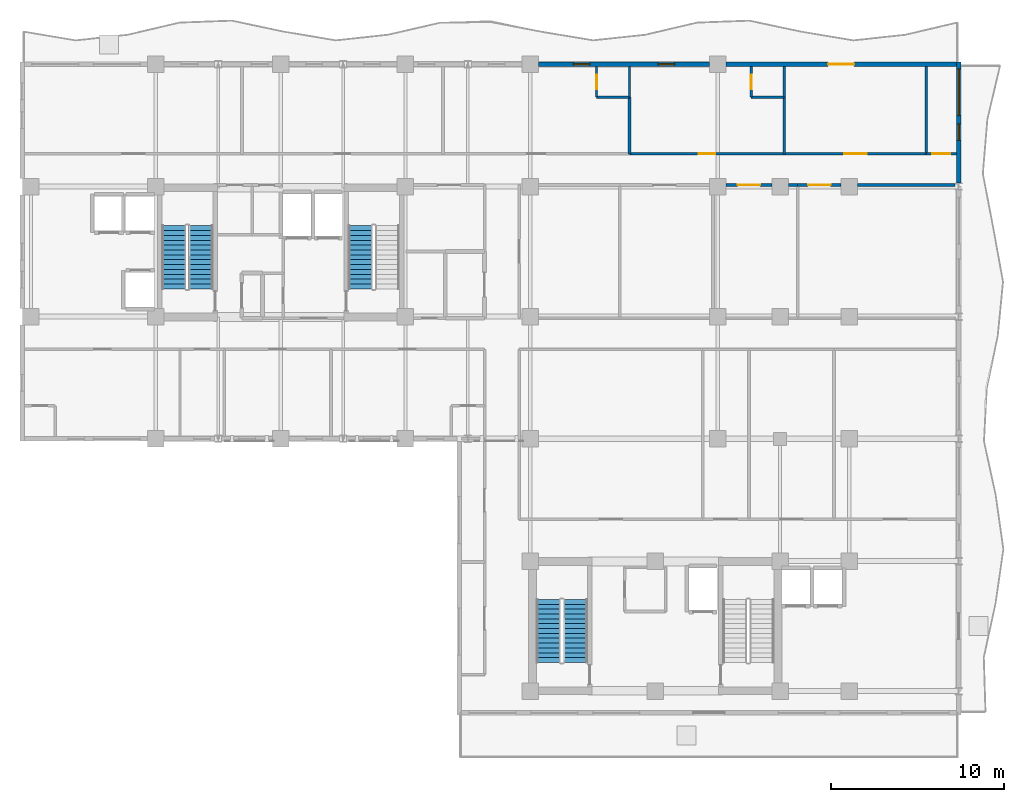
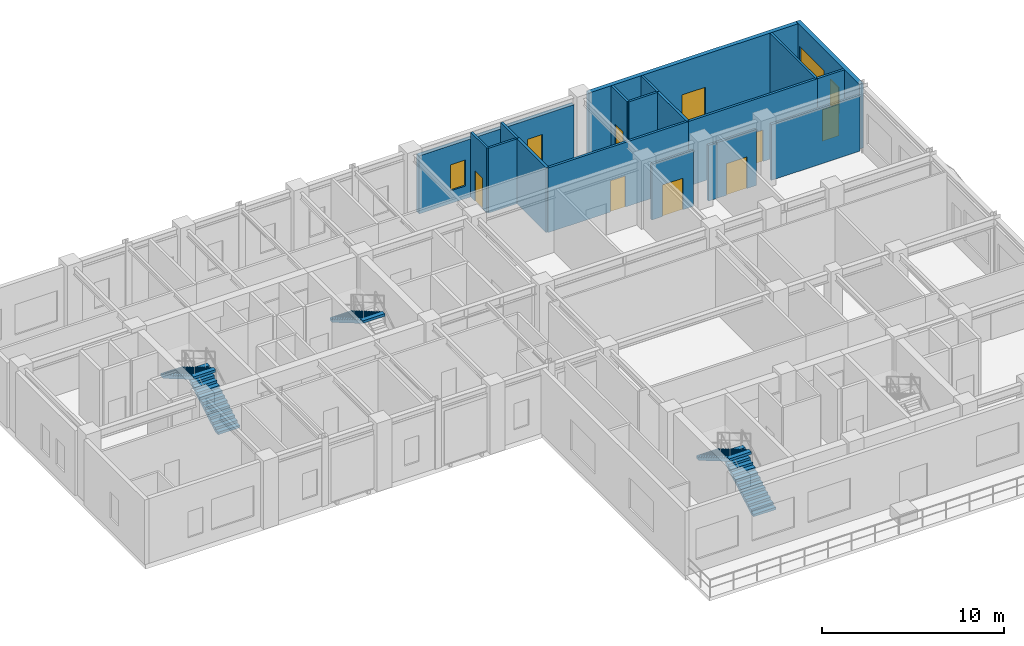
# One storey, part 10 of 14: 19 walls, 8 doors, 5 stair flights, 4 windows, 12 openings, 3 elements without a shape of their own.
"""IFC4 building model written with IfcOpenShell, lengths in metres."""

from ifc_helpers import new_model, si_unit, direction, frame, frame_2d, origin, place, context, subcontext, project, spatial, polyline, rectangle, outline, extrude, material, layer, layer_set, type_object, element, fill, aggregate, save


model = new_model("IFC4")

# Units and contexts
model_context = context("Model", 3, precision=1e-05, world=origin(), true_north=direction((0.0, 1.0)))
body_context = subcontext(model_context, "Body", "Model", "MODEL_VIEW")
ifc_project = project(units=[si_unit("LENGTHUNIT", "METRE"), si_unit("AREAUNIT", "SQUARE_METRE"), si_unit("VOLUMEUNIT", "CUBIC_METRE"), si_unit("PLANEANGLEUNIT", "RADIAN"), si_unit("MASSUNIT", "GRAM", prefix="KILO")], contexts=[model_context])

# Site, building, storey
site_placement = place(None, origin())
site = spatial("IfcSite", under=ifc_project, at=site_placement, CompositionType="ELEMENT")
building_placement = place(site_placement, origin())
building = spatial("IfcBuilding", under=site, at=building_placement, Name="Kaliganga Portal Commons", CompositionType="ELEMENT")
storey_placement = place(building_placement, frame((0.0, 0.0, 197.199951171875)))
storey = spatial("IfcBuildingStorey", under=building, at=storey_placement, Name="L50", CompositionType="ELEMENT", Elevation=197.199951171875)

# Wall, openings, windows
ifc_material_1 = material(Name="Insulated Aluminium-Clad Spandrel Assembly", Category="aluminium")
ifc_layer_1 = layer(ifc_material_1, 0.260009765625)
ifc_layer_set_1 = layer_set([ifc_layer_1], Name="Insulated Aluminium-Clad Spandrel Assembly")
wall_type_1 = type_object("IfcWallType", Name="WL-EXT-SPAND-260", PredefinedType="STANDARD", material=ifc_layer_set_1)
wall_1_placement = place(storey_placement, frame((60.699951171875, 43.330078125, 0.0), z_axis=(0.0, 0.0, 1.0), x_axis=(0.0, -1.0, 0.0)))
wall_1 = element("IfcWall", 1, at=wall_1_placement, inside=storey, type_object=wall_type_1, Name="Exterior Envelope Wall L50 P1-E01-S6", PredefinedType="STANDARD", context=body_context, shape_type="SweptSolid", body=[
    extrude(rectangle(XDim=6.97900390625, YDim=0.260009765625, at=frame_2d((3.489501953125, 0.0))), origin(), (0.0, 0.0, 1.0), 4.35009765625),
])
opening_1_placement = place(wall_1_placement, frame((0.394775390625, 0.0, 0.85009765625)))
opening_1 = element("IfcOpeningElement", 2, at=opening_1_placement, cuts=wall_1, Name="Opening W-07", PredefinedType="OPENING", context=body_context, shape_type="SweptSolid", body=[
    extrude(rectangle(XDim=2.699951171875, YDim=2.050048828125, at=frame_2d((1.35009765625, 1.02490234375))), frame((0.0, 0.14013671875, 0.0), z_axis=(0.0, -1.0, 0.0), x_axis=(1.0, 0.0, 0.0)), (0.0, 0.0, 1.0), 0.280029296875),
])
opening_2_placement = place(wall_1_placement, frame((3.57275390625, 0.0, 0.85009765625)))
opening_2 = element("IfcOpeningElement", 3, at=opening_2_placement, cuts=wall_1, Name="Opening W-04", PredefinedType="OPENING", context=body_context, shape_type="SweptSolid", body=[
    extrude(rectangle(XDim=0.949951171875, YDim=1.75, at=frame_2d((0.47509765625, 0.875))), frame((0.0, 0.14013671875, 0.0), z_axis=(0.0, -1.0, 0.0), x_axis=(1.0, 0.0, 0.0)), (0.0, 0.0, 1.0), 0.280029296875),
])
ifc_material_2 = material(Name="Thermally Broken Aluminium and Low-E Double Glazing", Category="aluminium")
window_type_1 = type_object("IfcWindowType", Name="WIN-LOUNGE-2700", PartitioningType="TRIPLE_PANEL_VERTICAL", PredefinedType="WINDOW", material=ifc_material_2)
window_1_placement = place(opening_1_placement, origin())
window_1 = element("IfcWindow", 4, at=window_1_placement, inside=storey, type_object=window_type_1, Name="Facade Window L50-P1E01S6-00", OverallHeight=2.050048828125, OverallWidth=2.699951171875, PartitioningType="SINGLE_PANEL", PredefinedType="WINDOW", context=body_context, shape_type="SweptSolid", body=[
    extrude(rectangle(XDim=2.699951171875, YDim=2.050048828125, at=frame_2d((1.35009765625, 1.02490234375))), frame((0.0, 0.030029296875, 0.0), z_axis=(0.0, -1.0, 0.0), x_axis=(1.0, 0.0, 0.0)), (0.0, 0.0, 1.0), 0.06005859375),
])
fill(opening_1, window_1)
window_type_2 = type_object("IfcWindowType", Name="WIN-NARROW-950", PartitioningType="SINGLE_PANEL", PredefinedType="WINDOW", material=ifc_material_2)
window_2_placement = place(opening_2_placement, origin())
window_2 = element("IfcWindow", 5, at=window_2_placement, inside=storey, type_object=window_type_2, Name="Facade Window L50-P1E01S6-N6", OverallHeight=1.75, OverallWidth=0.949951171875, PartitioningType="SINGLE_PANEL", PredefinedType="WINDOW", context=body_context, shape_type="SweptSolid", body=[
    extrude(rectangle(XDim=0.949951171875, YDim=1.75, at=frame_2d((0.47509765625, 0.875))), frame((0.0, 0.030029296875, 0.0), z_axis=(0.0, -1.0, 0.0), x_axis=(1.0, 0.0, 0.0)), (0.0, 0.0, 1.0), 0.06005859375),
])
fill(opening_2, window_2)

# Wall, opening, door
wall_2_placement = place(storey_placement, frame((47.27587890625, 43.199951171875, 0.0), z_axis=(0.0, 0.0, 1.0), x_axis=(1.0, 0.0, 0.0)))
wall_2 = element("IfcWall", 6, at=wall_2_placement, inside=storey, type_object=wall_type_1, Name="Exterior Envelope Wall L50 P1-E02-S1", PredefinedType="STANDARD", context=body_context, shape_type="SweptSolid", body=[
    extrude(rectangle(XDim=13.2890625, YDim=0.260009765625, at=frame_2d((6.64453125, 0.0))), origin(), (0.0, 0.0, 1.0), 4.35009765625),
])
opening_3_placement = place(wall_2_placement, frame((5.89404296875, 0.0, 0.0)))
opening_3 = element("IfcOpeningElement", 7, at=opening_3_placement, cuts=wall_2, Name="Opening BD-01", PredefinedType="OPENING", context=body_context, shape_type="SweptSolid", body=[
    extrude(rectangle(XDim=1.5, YDim=2.14990234375, at=frame_2d((0.75, 1.074951171875))), frame((0.0, 0.14013671875, 0.0), z_axis=(0.0, -1.0, 0.0), x_axis=(1.0, 0.0, 0.0)), (0.0, 0.0, 1.0), 0.280029296875),
])
ifc_material_3 = material(Name="Anodized Aluminium and Laminated Safety Glass", Category="aluminium")
door_type_1 = type_object("IfcDoorType", Name="DR-BALC-1500", OperationType="SLIDING_TO_LEFT", PredefinedType="DOOR", material=ifc_material_3)
door_1_placement = place(opening_3_placement, origin())
door_1 = element("IfcDoor", 8, at=door_1_placement, inside=storey, type_object=door_type_1, Name="Balcony Sliding Door L50 balc_north", OperationType="SLIDING_TO_LEFT", OverallHeight=2.14990234375, OverallWidth=1.5, PredefinedType="DOOR", context=body_context, shape_type="SweptSolid", body=[
    extrude(rectangle(XDim=1.5, YDim=2.14990234375, at=frame_2d((0.75, 1.074951171875))), frame((0.0, 0.02490234375, 0.0), z_axis=(0.0, -1.0, 0.0), x_axis=(1.0, 0.0, 0.0)), (0.0, 0.0, 1.0), 0.050048828125),
])
fill(opening_3, door_1)

# Wall, openings, windows
wall_3_placement = place(storey_placement, frame((36.47607421875, 43.199951171875, 0.0), z_axis=(0.0, 0.0, 1.0), x_axis=(1.0, 0.0, 0.0)))
wall_3 = element("IfcWall", 9, at=wall_3_placement, inside=storey, type_object=wall_type_1, Name="Exterior Envelope Wall L50 P1-E02-S2", PredefinedType="STANDARD", context=body_context, shape_type="SweptSolid", body=[
    extrude(rectangle(XDim=9.847900390625, YDim=0.260009765625, at=frame_2d((4.923828125, 0.0))), origin(), (0.0, 0.0, 1.0), 3.900146484375),
])
opening_4_placement = place(wall_3_placement, frame((2.006591796875, 0.0, 0.85009765625)))
opening_4 = element("IfcOpeningElement", 10, at=opening_4_placement, cuts=wall_3, Name="Opening W-04", PredefinedType="OPENING", context=body_context, shape_type="SweptSolid", body=[
    extrude(rectangle(XDim=0.949951171875, YDim=1.75, at=frame_2d((0.47509765625, 0.875))), frame((0.0, 0.14013671875, 0.0), z_axis=(0.0, -1.0, 0.0), x_axis=(1.0, 0.0, 0.0)), (0.0, 0.0, 1.0), 0.280029296875),
])
opening_5_placement = place(wall_3_placement, frame((6.891357421875, 0.0, 0.85009765625)))
opening_5 = element("IfcOpeningElement", 11, at=opening_5_placement, cuts=wall_3, Name="Opening W-04", PredefinedType="OPENING", context=body_context, shape_type="SweptSolid", body=[
    extrude(rectangle(XDim=0.949951171875, YDim=1.75, at=frame_2d((0.47509765625, 0.875))), frame((0.0, 0.14013671875, 0.0), z_axis=(0.0, -1.0, 0.0), x_axis=(1.0, 0.0, 0.0)), (0.0, 0.0, 1.0), 0.280029296875),
])
window_3_placement = place(opening_4_placement, origin())
window_3 = element("IfcWindow", 12, at=window_3_placement, inside=storey, type_object=window_type_2, Name="Facade Window L50-P1E02S2-N1", OverallHeight=1.75, OverallWidth=0.949951171875, PartitioningType="SINGLE_PANEL", PredefinedType="WINDOW", context=body_context, shape_type="SweptSolid", body=[
    extrude(rectangle(XDim=0.949951171875, YDim=1.75, at=frame_2d((0.47509765625, 0.875))), frame((0.0, 0.030029296875, 0.0), z_axis=(0.0, -1.0, 0.0), x_axis=(1.0, 0.0, 0.0)), (0.0, 0.0, 1.0), 0.06005859375),
])
fill(opening_4, window_3)
window_4_placement = place(opening_5_placement, origin())
window_4 = element("IfcWindow", 13, at=window_4_placement, inside=storey, type_object=window_type_2, Name="Facade Window L50-P1E02S2-N2", OverallHeight=1.75, OverallWidth=0.949951171875, PartitioningType="SINGLE_PANEL", PredefinedType="WINDOW", context=body_context, shape_type="SweptSolid", body=[
    extrude(rectangle(XDim=0.949951171875, YDim=1.75, at=frame_2d((0.47509765625, 0.875))), frame((0.0, 0.030029296875, 0.0), z_axis=(0.0, -1.0, 0.0), x_axis=(1.0, 0.0, 0.0)), (0.0, 0.0, 1.0), 0.06005859375),
])
fill(opening_5, window_4)

# Wall, opening, door
ifc_material_4 = material(Name="Fire-Rated Gypsum Board on Steel Stud", Category="steel")
ifc_layer_2 = layer(ifc_material_4, 0.14990234375)
ifc_layer_set_2 = layer_set([ifc_layer_2], Name="Fire-Rated Gypsum Board on Steel Stud")
wall_type_2 = type_object("IfcWallType", Name="WL-PART-CORR-150", PredefinedType="PARTITIONING", material=ifc_layer_set_2)
wall_4_placement = place(storey_placement, frame((51.419921875, 36.239990234375, 0.0), z_axis=(0.0, 0.0, 1.0), x_axis=(1.0, 0.0, 0.0)))
wall_4 = element("IfcWall", 14, at=wall_4_placement, inside=storey, type_object=wall_type_2, Name="Interior Partition L50-018", PredefinedType="PARTITIONING", context=body_context, shape_type="SweptSolid", body=[
    extrude(rectangle(XDim=2.505126953125, YDim=0.14990234375, at=frame_2d((1.25244140625, 0.0))), origin(), (0.0, 0.0, 1.0), 3.75),
])
opening_6_placement = place(wall_4_placement, frame((0.6025390625, 0.0, 0.0)))
opening_6 = element("IfcOpeningElement", 15, at=opening_6_placement, cuts=wall_4, Name="Opening RD-03", PredefinedType="OPENING", context=body_context, shape_type="SweptSolid", body=[
    extrude(rectangle(XDim=1.300048828125, YDim=2.1201171875, at=frame_2d((0.64990234375, 1.06005859375))), frame((0.0, 0.0849609375, 0.0), z_axis=(0.0, -1.0, 0.0), x_axis=(1.0, 0.0, 0.0)), (0.0, 0.0, 1.0), 0.169921875),
])
ifc_material_5 = material(Name="Glazed Timber Seminar Vision Door", Category="wood")
door_type_2 = type_object("IfcDoorType", Name="DR-STUDY-1300", OperationType="DOUBLE_DOOR_SINGLE_SWING", PredefinedType="DOOR", material=ifc_material_5)
door_2_placement = place(opening_6_placement, origin())
door_2 = element("IfcDoor", 16, at=door_2_placement, inside=storey, type_object=door_type_2, Name="Interior Door L50-BK04", OperationType="DOUBLE_DOOR_SINGLE_SWING", OverallHeight=2.1201171875, OverallWidth=1.300048828125, PredefinedType="DOOR", context=body_context, shape_type="SweptSolid", body=[
    extrude(rectangle(XDim=1.300048828125, YDim=2.1201171875, at=frame_2d((0.64990234375, 1.06005859375))), frame((0.0, 0.02490234375, 0.0), z_axis=(0.0, -1.0, 0.0), x_axis=(1.0, 0.0, 0.0)), (0.0, 0.0, 1.0), 0.050048828125),
])
fill(opening_6, door_2)

# Wall
wall_5_placement = place(storey_placement, frame((54.875, 36.239990234375, 0.0), z_axis=(0.0, 0.0, 1.0), x_axis=(1.0, 0.0, 0.0)))
element("IfcWall", 17, at=wall_5_placement, inside=storey, type_object=wall_type_2, Name="Interior Partition L50-019", PredefinedType="PARTITIONING", context=body_context, shape_type="SweptSolid", body=[
    extrude(rectangle(XDim=5.62548828125, YDim=0.14990234375, at=frame_2d((2.812744140625, 0.0))), origin(), (0.0, 0.0, 1.0), 3.75),
])

# Wall, opening, door
wall_6_placement = place(storey_placement, frame((41.719970703125, 38.0400390625, 0.0), z_axis=(0.0, 0.0, 1.0), x_axis=(1.0, 0.0, 0.0)))
wall_6 = element("IfcWall", 18, at=wall_6_placement, inside=storey, type_object=wall_type_2, Name="Interior Partition L50-021", PredefinedType="PARTITIONING", context=body_context, shape_type="SweptSolid", body=[
    extrude(rectangle(XDim=8.919921875, YDim=0.14990234375, at=frame_2d((4.4599609375, 0.0))), origin(), (0.0, 0.0, 1.0), 4.35009765625),
])
opening_7_placement = place(wall_6_placement, frame((3.985107421875, 0.0, 0.0)))
opening_7 = element("IfcOpeningElement", 19, at=opening_7_placement, cuts=wall_6, Name="Opening UD-01", PredefinedType="OPENING", context=body_context, shape_type="SweptSolid", body=[
    extrude(rectangle(XDim=0.949951171875, YDim=2.10009765625, at=frame_2d((0.47509765625, 1.050048828125))), frame((0.0, 0.0849609375, 0.0), z_axis=(0.0, -1.0, 0.0), x_axis=(1.0, 0.0, 0.0)), (0.0, 0.0, 1.0), 0.169921875),
])
ifc_material_6 = material(Name="Solid-Core Timber Acoustic Fire Door", Category="wood")
door_type_3 = type_object("IfcDoorType", Name="DR-UNIT-950", OperationType="NOTDEFINED", PredefinedType="DOOR", material=ifc_material_6)
door_3_placement = place(opening_7_placement, origin())
door_3 = element("IfcDoor", 20, at=door_3_placement, inside=storey, type_object=door_type_3, Name="Interior Door L50-AN04", OperationType="SINGLE_SWING_LEFT", OverallHeight=2.10009765625, OverallWidth=0.949951171875, PredefinedType="DOOR", context=body_context, shape_type="SweptSolid", body=[
    extrude(rectangle(XDim=0.949951171875, YDim=2.10009765625, at=frame_2d((0.47509765625, 1.050048828125))), frame((0.0, 0.02490234375, 0.0), z_axis=(0.0, -1.0, 0.0), x_axis=(1.0, 0.0, 0.0)), (0.0, 0.0, 1.0), 0.050048828125),
])
fill(opening_7, door_3)

wall_7_placement = place(storey_placement, frame((50.639892578125, 38.0400390625, 0.0), z_axis=(0.0, 0.0, 1.0), x_axis=(1.0, 0.0, 0.0)))
wall_7 = element("IfcWall", 21, at=wall_7_placement, inside=storey, type_object=wall_type_2, Name="Interior Partition L50-023", PredefinedType="PARTITIONING", context=body_context, shape_type="SweptSolid", body=[
    extrude(rectangle(XDim=8.2001953125, YDim=0.14990234375, at=frame_2d((4.10009765625, 0.0))), origin(), (0.0, 0.0, 1.0), 4.35009765625),
])
opening_8_placement = place(wall_7_placement, frame((3.449951171875, 0.0, 0.0)))
opening_8 = element("IfcOpeningElement", 22, at=opening_8_placement, cuts=wall_7, Name="Opening RD-03", PredefinedType="OPENING", context=body_context, shape_type="SweptSolid", body=[
    extrude(rectangle(XDim=1.300048828125, YDim=2.1201171875, at=frame_2d((0.64990234375, 1.06005859375))), frame((0.0, 0.0849609375, 0.0), z_axis=(0.0, -1.0, 0.0), x_axis=(1.0, 0.0, 0.0)), (0.0, 0.0, 1.0), 0.169921875),
])
door_4_placement = place(opening_8_placement, origin())
door_4 = element("IfcDoor", 23, at=door_4_placement, inside=storey, type_object=door_type_2, Name="Interior Door L50-AN05", OperationType="DOUBLE_DOOR_SINGLE_SWING", OverallHeight=2.1201171875, OverallWidth=1.300048828125, PredefinedType="DOOR", context=body_context, shape_type="SweptSolid", body=[
    extrude(rectangle(XDim=1.300048828125, YDim=2.1201171875, at=frame_2d((0.64990234375, 1.06005859375))), frame((0.0, 0.02490234375, 0.0), z_axis=(0.0, -1.0, 0.0), x_axis=(1.0, 0.0, 0.0)), (0.0, 0.0, 1.0), 0.050048828125),
])
fill(opening_8, door_4)

wall_8_placement = place(storey_placement, frame((47.27490234375, 36.239990234375, 0.0), z_axis=(0.0, 0.0, 1.0), x_axis=(1.0, 0.0, 0.0)))
wall_8 = element("IfcWall", 24, at=wall_8_placement, inside=storey, type_object=wall_type_2, Name="Interior Partition L50-032", PredefinedType="PARTITIONING", context=body_context, shape_type="SweptSolid", body=[
    extrude(rectangle(XDim=2.650146484375, YDim=0.14990234375, at=frame_2d((1.3251953125, 0.0))), origin(), (0.0, 0.0, 1.0), 3.75),
])
opening_9_placement = place(wall_8_placement, frame((0.675048828125, 0.0, 0.0)))
opening_9 = element("IfcOpeningElement", 25, at=opening_9_placement, cuts=wall_8, Name="Opening RD-03", PredefinedType="OPENING", context=body_context, shape_type="SweptSolid", body=[
    extrude(rectangle(XDim=1.300048828125, YDim=2.1201171875, at=frame_2d((0.64990234375, 1.06005859375))), frame((0.0, 0.0849609375, 0.0), z_axis=(0.0, -1.0, 0.0), x_axis=(1.0, 0.0, 0.0)), (0.0, 0.0, 1.0), 0.169921875),
])
door_5_placement = place(opening_9_placement, origin())
door_5 = element("IfcDoor", 26, at=door_5_placement, inside=storey, type_object=door_type_2, Name="Interior Door L50-BK03", OperationType="DOUBLE_DOOR_SINGLE_SWING", OverallHeight=2.1201171875, OverallWidth=1.300048828125, PredefinedType="DOOR", context=body_context, shape_type="SweptSolid", body=[
    extrude(rectangle(XDim=1.300048828125, YDim=2.1201171875, at=frame_2d((0.64990234375, 1.06005859375))), frame((0.0, 0.02490234375, 0.0), z_axis=(0.0, -1.0, 0.0), x_axis=(1.0, 0.0, 0.0)), (0.0, 0.0, 1.0), 0.050048828125),
])
fill(opening_9, door_5)

# Wall
wall_9_placement = place(storey_placement, frame((50.875, 36.239990234375, 0.0), z_axis=(0.0, 0.0, 1.0), x_axis=(1.0, 0.0, 0.0)))
element("IfcWall", 27, at=wall_9_placement, inside=storey, type_object=wall_type_2, Name="Interior Partition L50-033", PredefinedType="PARTITIONING", context=body_context, shape_type="SweptSolid", body=[
    extrude(rectangle(XDim=0.544921875, YDim=0.14990234375, at=frame_2d((0.2724609375, 0.0))), origin(), (0.0, 0.0, 1.0), 3.75),
])

# Wall, opening, door
wall_10_placement = place(storey_placement, frame((58.840087890625, 38.0400390625, 0.0), z_axis=(0.0, 0.0, 1.0), x_axis=(1.0, 0.0, 0.0)))
wall_10 = element("IfcWall", 28, at=wall_10_placement, inside=storey, type_object=wall_type_2, Name="Interior Partition L50-048", PredefinedType="PARTITIONING", context=body_context, shape_type="SweptSolid", body=[
    extrude(rectangle(XDim=1.72802734375, YDim=0.14990234375, at=frame_2d((0.864013671875, 0.0))), origin(), (0.0, 0.0, 1.0), 4.35009765625),
])
opening_10_placement = place(wall_10_placement, frame((0.339111328125, 0.0, 0.0)))
opening_10 = element("IfcOpeningElement", 29, at=opening_10_placement, cuts=wall_10, Name="Opening UD-02", PredefinedType="OPENING", context=body_context, shape_type="SweptSolid", body=[
    extrude(rectangle(XDim=1.050048828125, YDim=2.1201171875, at=frame_2d((0.52490234375, 1.06005859375))), frame((0.0, 0.0849609375, 0.0), z_axis=(0.0, -1.0, 0.0), x_axis=(1.0, 0.0, 0.0)), (0.0, 0.0, 1.0), 0.169921875),
])
ifc_material_7 = material(Name="Accessible Wide-Leaf Acoustic Fire Door", Category="wood")
door_type_4 = type_object("IfcDoorType", Name="DR-ACC-1050", OperationType="NOTDEFINED", PredefinedType="DOOR", material=ifc_material_7)
door_6_placement = place(opening_10_placement, origin())
door_6 = element("IfcDoor", 30, at=door_6_placement, inside=storey, type_object=door_type_4, Name="Interior Door L50-AN06", OperationType="SINGLE_SWING_LEFT", OverallHeight=2.1201171875, OverallWidth=1.050048828125, PredefinedType="DOOR", context=body_context, shape_type="SweptSolid", body=[
    extrude(rectangle(XDim=1.050048828125, YDim=2.1201171875, at=frame_2d((0.52490234375, 1.06005859375))), frame((0.0, 0.02490234375, 0.0), z_axis=(0.0, -1.0, 0.0), x_axis=(1.0, 0.0, 0.0)), (0.0, 0.0, 1.0), 0.050048828125),
])
fill(opening_10, door_6)

# Walls
ifc_material_8 = material(Name="Twin-Stud Acoustic Gypsum Partition", Category="gypsum")
ifc_layer_3 = layer(ifc_material_8, 0.1650390625)
ifc_layer_set_3 = layer_set([ifc_layer_3], Name="Twin-Stud Acoustic Gypsum Partition")
wall_type_3 = type_object("IfcWallType", Name="WL-PART-UNIT-165", PredefinedType="PARTITIONING", material=ifc_layer_set_3)
for number, where, z_axis, x_axis, name in (
    (31, (41.719970703125, 38.0400390625, 0.0), (0.0, 0.0, 1.0), (0.0, 1.0, 0.0), "Interior Partition L50-078"),
    (32, (50.639892578125, 38.0400390625, 0.0), (0.0, 0.0, 1.0), (0.0, 1.0, 0.0), "Interior Partition L50-079"),
):
    element("IfcWall", number, at=place(storey_placement, frame(where, z_axis=z_axis, x_axis=x_axis)), inside=storey, type_object=wall_type_3, Name=name, PredefinedType="PARTITIONING", context=body_context, shape_type="SweptSolid", body=[
        extrude(rectangle(XDim=3.260009765625, YDim=0.1650390625, at=frame_2d((1.6298828125, 0.0))), origin(), (0.0, 0.0, 1.0), 4.35009765625),
    ])

# Wall, opening, door
ifc_material_9 = material(Name="Cement-Board Wet-Room Partition", Category="gypsum")
ifc_layer_4 = layer(ifc_material_9, 0.135009765625)
ifc_layer_set_4 = layer_set([ifc_layer_4], Name="Cement-Board Wet-Room Partition")
wall_type_4 = type_object("IfcWallType", Name="WL-PART-WET-135", PredefinedType="PARTITIONING", material=ifc_layer_set_4)
wall_11_placement = place(storey_placement, frame((39.820068359375, 41.300048828125, 0.0), z_axis=(0.0, 0.0, 1.0), x_axis=(0.0, 1.0, 0.0)))
wall_11 = element("IfcWall", 33, at=wall_11_placement, inside=storey, type_object=wall_type_4, Name="Interior Partition L50-002", PredefinedType="PARTITIONING", context=body_context, shape_type="SweptSolid", body=[
    extrude(rectangle(XDim=1.76806640625, YDim=0.135009765625, at=frame_2d((0.884033203125, 0.0))), origin(), (0.0, 0.0, 1.0), 4.35009765625),
])
opening_11_placement = place(wall_11_placement, frame((0.458984375, 0.0, 0.0)))
opening_11 = element("IfcOpeningElement", 34, at=opening_11_placement, cuts=wall_11, Name="Opening WD-01", PredefinedType="OPENING", context=body_context, shape_type="SweptSolid", body=[
    extrude(rectangle(XDim=0.85009765625, YDim=2.0400390625, at=frame_2d((0.425048828125, 1.02001953125))), frame((0.0, 0.07763671875, 0.0), z_axis=(0.0, -1.0, 0.0), x_axis=(1.0, 0.0, 0.0)), (0.0, 0.0, 1.0), 0.155029296875),
])
ifc_material_10 = material(Name="Moisture-Resistant Laminate Timber Door", Category="wood")
door_type_5 = type_object("IfcDoorType", Name="DR-WET-850", OperationType="NOTDEFINED", PredefinedType="DOOR", material=ifc_material_10)
door_7_placement = place(opening_11_placement, origin())
door_7 = element("IfcDoor", 35, at=door_7_placement, inside=storey, type_object=door_type_5, Name="Interior Door L50-AN03E", OperationType="SINGLE_SWING_RIGHT", OverallHeight=2.0400390625, OverallWidth=0.85009765625, PredefinedType="DOOR", context=body_context, shape_type="SweptSolid", body=[
    extrude(rectangle(XDim=0.85009765625, YDim=2.0400390625, at=frame_2d((0.425048828125, 1.02001953125))), frame((0.0, 0.02490234375, 0.0), z_axis=(0.0, -1.0, 0.0), x_axis=(1.0, 0.0, 0.0)), (0.0, 0.0, 1.0), 0.050048828125),
])
fill(opening_11, door_7)

# Wall
wall_12_placement = place(storey_placement, frame((41.719970703125, 41.300048828125, 0.0), z_axis=(0.0, 0.0, 1.0), x_axis=(0.0, 1.0, 0.0)))
element("IfcWall", 36, at=wall_12_placement, inside=storey, type_object=wall_type_4, Name="Interior Partition L50-003", PredefinedType="PARTITIONING", context=body_context, shape_type="SweptSolid", body=[
    extrude(rectangle(XDim=1.76806640625, YDim=0.135009765625, at=frame_2d((0.884033203125, 0.0))), origin(), (0.0, 0.0, 1.0), 4.35009765625),
])

# Wall, opening, door
wall_13_placement = place(storey_placement, frame((48.739990234375, 41.300048828125, 0.0), z_axis=(0.0, 0.0, 1.0), x_axis=(0.0, 1.0, 0.0)))
wall_13 = element("IfcWall", 37, at=wall_13_placement, inside=storey, type_object=wall_type_4, Name="Interior Partition L50-004", PredefinedType="PARTITIONING", context=body_context, shape_type="SweptSolid", body=[
    extrude(rectangle(XDim=1.76806640625, YDim=0.135009765625, at=frame_2d((0.884033203125, 0.0))), origin(), (0.0, 0.0, 1.0), 4.35009765625),
])
opening_12_placement = place(wall_13_placement, frame((0.458984375, 0.0, 0.0)))
opening_12 = element("IfcOpeningElement", 38, at=opening_12_placement, cuts=wall_13, Name="Opening WD-01", PredefinedType="OPENING", context=body_context, shape_type="SweptSolid", body=[
    extrude(rectangle(XDim=0.85009765625, YDim=2.0400390625, at=frame_2d((0.425048828125, 1.02001953125))), frame((0.0, 0.07763671875, 0.0), z_axis=(0.0, -1.0, 0.0), x_axis=(1.0, 0.0, 0.0)), (0.0, 0.0, 1.0), 0.155029296875),
])
door_8_placement = place(opening_12_placement, origin())
door_8 = element("IfcDoor", 39, at=door_8_placement, inside=storey, type_object=door_type_5, Name="Interior Door L50-AN04E", OperationType="SINGLE_SWING_LEFT", OverallHeight=2.0400390625, OverallWidth=0.85009765625, PredefinedType="DOOR", context=body_context, shape_type="SweptSolid", body=[
    extrude(rectangle(XDim=0.85009765625, YDim=2.0400390625, at=frame_2d((0.425048828125, 1.02001953125))), frame((0.0, 0.02490234375, 0.0), z_axis=(0.0, -1.0, 0.0), x_axis=(1.0, 0.0, 0.0)), (0.0, 0.0, 1.0), 0.050048828125),
])
fill(opening_12, door_8)

# Walls
wall_14_placement = place(storey_placement, frame((50.639892578125, 41.300048828125, 0.0), z_axis=(0.0, 0.0, 1.0), x_axis=(0.0, 1.0, 0.0)))
element("IfcWall", 40, at=wall_14_placement, inside=storey, type_object=wall_type_4, Name="Interior Partition L50-005", PredefinedType="PARTITIONING", context=body_context, shape_type="SweptSolid", body=[
    extrude(rectangle(XDim=1.76806640625, YDim=0.135009765625, at=frame_2d((0.884033203125, 0.0))), origin(), (0.0, 0.0, 1.0), 4.35009765625),
])
for number, where, z_axis, x_axis, name in (
    (41, (39.820068359375, 41.300048828125, 0.0), (0.0, 0.0, 1.0), (1.0, 0.0, 0.0), "Interior Partition L50-007"),
    (42, (48.739990234375, 41.300048828125, 0.0), (0.0, 0.0, 1.0), (1.0, 0.0, 0.0), "Interior Partition L50-008"),
):
    element("IfcWall", number, at=place(storey_placement, frame(where, z_axis=z_axis, x_axis=x_axis)), inside=storey, type_object=wall_type_4, Name=name, PredefinedType="PARTITIONING", context=body_context, shape_type="SweptSolid", body=[
        extrude(rectangle(XDim=1.89990234375, YDim=0.135009765625, at=frame_2d((0.949951171875, 0.0))), origin(), (0.0, 0.0, 1.0), 4.35009765625),
    ])
wall_15_placement = place(storey_placement, frame((58.840087890625, 38.0400390625, 0.0), z_axis=(0.0, 0.0, 1.0), x_axis=(0.0, 1.0, 0.0)))
element("IfcWall", 43, at=wall_15_placement, inside=storey, type_object=wall_type_4, Name="Interior Partition L50-069", PredefinedType="PARTITIONING", context=body_context, shape_type="SweptSolid", body=[
    extrude(rectangle(XDim=5.028076171875, YDim=0.135009765625, at=frame_2d((2.51416015625, 0.0))), origin(), (0.0, 0.0, 1.0), 4.35009765625),
])

# Stair, stair flights
ifc_material_11 = material(Name="Concrete C40/50", Category="concrete")
stair_type = type_object("IfcStairType", Name="ST-CORE-DOGLEG", PredefinedType="HALF_TURN_STAIR", material=ifc_material_11)
stair_1_placement = place(storey_placement, origin())
stair_1 = element("IfcStair", 44, at=stair_1_placement, inside=storey, type_object=stair_type, Name="L50 Protected Exit Stair ST-A1", PredefinedType="HALF_TURN_STAIR")
stair_flight_type = type_object("IfcStairFlightType", Name="STF-RC-1400", PredefinedType="STRAIGHT", material=ifc_material_11)
stair_flight_1_placement = place(storey_placement, frame((17.0, 30.25, 0.0), z_axis=(0.0, 0.0, 1.0), x_axis=(0.0, 1.0, 0.0)))
stair_flight_1 = element("IfcStairFlight", 45, at=stair_flight_1_placement, type_object=stair_flight_type, Name="ST-A1 flight 1", NumberOfRisers=14, NumberOfTreads=13, PredefinedType="STRAIGHT", RiserHeight=0.164285714, TreadLength=0.28, context=body_context, shape_type="SweptSolid", body=[
    extrude(outline(polyline([(0.0, 0.0), (0.0, 0.164306640625), (0.280029296875, 0.164306640625), (0.280029296875, 0.32861328125), (0.56005859375, 0.32861328125), (0.56005859375, 0.492919921875), (0.840087890625, 0.492919921875), (0.840087890625, 0.6572265625), (1.1201171875, 0.6572265625), (1.1201171875, 0.821533203125), (1.39990234375, 0.821533203125), (1.39990234375, 0.985595703125), (1.679931640625, 0.985595703125), (1.679931640625, 1.14990234375), (1.9599609375, 1.14990234375), (1.9599609375, 1.314208984375), (2.239990234375, 1.314208984375), (2.239990234375, 1.478515625), (2.52001953125, 1.478515625), (2.52001953125, 1.642822265625), (2.800048828125, 1.642822265625), (2.800048828125, 1.80712890625), (3.080078125, 1.80712890625), (3.080078125, 1.971435546875), (3.360107421875, 1.971435546875), (3.360107421875, 2.1357421875), (3.639892578125, 2.1357421875), (3.639892578125, 2.300048828125), (3.639892578125, 1.9619140625), (0.296142578125, 0.0), (0.0, 0.0)])), frame((0.0, 0.699951171875, 0.0), z_axis=(0.0, -1.0, 0.0), x_axis=(1.0, 0.0, 0.0)), (0.0, 0.0, 1.0), 1.39990234375),
])
stair_flight_2_placement = place(storey_placement, frame((15.449951171875, 33.889892578125, 2.300048828125), z_axis=(0.0, 0.0, 1.0), x_axis=(0.0, -1.0, 0.0)))
stair_flight_2 = element("IfcStairFlight", 46, at=stair_flight_2_placement, type_object=stair_flight_type, Name="ST-A1 flight 2", NumberOfRisers=14, NumberOfTreads=13, PredefinedType="STRAIGHT", RiserHeight=0.164285714, TreadLength=0.28, context=body_context, shape_type="SweptSolid", body=[
    extrude(outline(polyline([(0.0, 0.0), (0.0, 0.164306640625), (0.280029296875, 0.164306640625), (0.280029296875, 0.32861328125), (0.56005859375, 0.32861328125), (0.56005859375, 0.492919921875), (0.840087890625, 0.492919921875), (0.840087890625, 0.6572265625), (1.1201171875, 0.6572265625), (1.1201171875, 0.821533203125), (1.39990234375, 0.821533203125), (1.39990234375, 0.985595703125), (1.679931640625, 0.985595703125), (1.679931640625, 1.14990234375), (1.9599609375, 1.14990234375), (1.9599609375, 1.314208984375), (2.239990234375, 1.314208984375), (2.239990234375, 1.478515625), (2.52001953125, 1.478515625), (2.52001953125, 1.642822265625), (2.800048828125, 1.642822265625), (2.800048828125, 1.80712890625), (3.080078125, 1.80712890625), (3.080078125, 1.971435546875), (3.360107421875, 1.971435546875), (3.360107421875, 2.1357421875), (3.639892578125, 2.1357421875), (3.639892578125, 2.300048828125), (3.639892578125, 1.9619140625), (0.296142578125, 0.0), (0.0, 0.0)])), frame((0.0, 0.699951171875, 0.0), z_axis=(0.0, -1.0, 0.0), x_axis=(1.0, 0.0, 0.0)), (0.0, 0.0, 1.0), 1.39990234375),
])
aggregate(stair_1, [stair_flight_1, stair_flight_2])

# Stair, stair flight
stair_2_placement = place(storey_placement, origin())
stair_2 = element("IfcStair", 47, at=stair_2_placement, inside=storey, type_object=stair_type, Name="L50 Protected Exit Stair ST-A2", PredefinedType="HALF_TURN_STAIR")
stair_flight_3_placement = place(storey_placement, frame((26.199951171875, 33.889892578125, 2.300048828125), z_axis=(0.0, 0.0, 1.0), x_axis=(0.0, -1.0, 0.0)))
stair_flight_3 = element("IfcStairFlight", 48, at=stair_flight_3_placement, type_object=stair_flight_type, Name="ST-A2 flight 2", NumberOfRisers=14, NumberOfTreads=13, PredefinedType="STRAIGHT", RiserHeight=0.164285714, TreadLength=0.28, context=body_context, shape_type="SweptSolid", body=[
    extrude(outline(polyline([(0.0, 0.0), (0.0, 0.164306640625), (0.280029296875, 0.164306640625), (0.280029296875, 0.32861328125), (0.56005859375, 0.32861328125), (0.56005859375, 0.492919921875), (0.840087890625, 0.492919921875), (0.840087890625, 0.6572265625), (1.1201171875, 0.6572265625), (1.1201171875, 0.821533203125), (1.39990234375, 0.821533203125), (1.39990234375, 0.985595703125), (1.679931640625, 0.985595703125), (1.679931640625, 1.14990234375), (1.9599609375, 1.14990234375), (1.9599609375, 1.314208984375), (2.239990234375, 1.314208984375), (2.239990234375, 1.478515625), (2.52001953125, 1.478515625), (2.52001953125, 1.642822265625), (2.800048828125, 1.642822265625), (2.800048828125, 1.80712890625), (3.080078125, 1.80712890625), (3.080078125, 1.971435546875), (3.360107421875, 1.971435546875), (3.360107421875, 2.1357421875), (3.639892578125, 2.1357421875), (3.639892578125, 2.300048828125), (3.639892578125, 1.9619140625), (0.296142578125, 0.0), (0.0, 0.0)])), frame((0.0, 0.699951171875, 0.0), z_axis=(0.0, -1.0, 0.0), x_axis=(1.0, 0.0, 0.0)), (0.0, 0.0, 1.0), 1.39990234375),
])
aggregate(stair_2, [stair_flight_3])

# Stair, stair flights
stair_3_placement = place(storey_placement, origin())
stair_3 = element("IfcStair", 49, at=stair_3_placement, inside=storey, type_object=stair_type, Name="L50 Protected Exit Stair ST-B1", PredefinedType="HALF_TURN_STAIR")
stair_flight_4_placement = place(storey_placement, frame((38.60009765625, 8.699951171875, 0.0), z_axis=(0.0, 0.0, 1.0), x_axis=(0.0, 1.0, 0.0)))
stair_flight_4 = element("IfcStairFlight", 50, at=stair_flight_4_placement, type_object=stair_flight_type, Name="ST-B1 flight 1", NumberOfRisers=14, NumberOfTreads=13, PredefinedType="STRAIGHT", RiserHeight=0.164285714, TreadLength=0.28, context=body_context, shape_type="SweptSolid", body=[
    extrude(outline(polyline([(0.0, 0.0), (0.0, 0.164306640625), (0.280029296875, 0.164306640625), (0.280029296875, 0.32861328125), (0.56005859375, 0.32861328125), (0.56005859375, 0.492919921875), (0.840087890625, 0.492919921875), (0.840087890625, 0.6572265625), (1.1201171875, 0.6572265625), (1.1201171875, 0.821533203125), (1.39990234375, 0.821533203125), (1.39990234375, 0.985595703125), (1.679931640625, 0.985595703125), (1.679931640625, 1.14990234375), (1.9599609375, 1.14990234375), (1.9599609375, 1.314208984375), (2.239990234375, 1.314208984375), (2.239990234375, 1.478515625), (2.52001953125, 1.478515625), (2.52001953125, 1.642822265625), (2.800048828125, 1.642822265625), (2.800048828125, 1.80712890625), (3.080078125, 1.80712890625), (3.080078125, 1.971435546875), (3.360107421875, 1.971435546875), (3.360107421875, 2.1357421875), (3.639892578125, 2.1357421875), (3.639892578125, 2.300048828125), (3.639892578125, 1.9619140625), (0.296142578125, 0.0), (0.0, 0.0)])), frame((0.0, 0.699951171875, 0.0), z_axis=(0.0, -1.0, 0.0), x_axis=(1.0, 0.0, 0.0)), (0.0, 0.0, 1.0), 1.39990234375),
])
stair_flight_5_placement = place(storey_placement, frame((37.050048828125, 12.340087890625, 2.300048828125), z_axis=(0.0, 0.0, 1.0), x_axis=(0.0, -1.0, 0.0)))
stair_flight_5 = element("IfcStairFlight", 51, at=stair_flight_5_placement, type_object=stair_flight_type, Name="ST-B1 flight 2", NumberOfRisers=14, NumberOfTreads=13, PredefinedType="STRAIGHT", RiserHeight=0.164285714, TreadLength=0.28, context=body_context, shape_type="SweptSolid", body=[
    extrude(outline(polyline([(0.0, 0.0), (0.0, 0.164306640625), (0.280029296875, 0.164306640625), (0.280029296875, 0.32861328125), (0.56005859375, 0.32861328125), (0.56005859375, 0.492919921875), (0.840087890625, 0.492919921875), (0.840087890625, 0.6572265625), (1.1201171875, 0.6572265625), (1.1201171875, 0.821533203125), (1.39990234375, 0.821533203125), (1.39990234375, 0.985595703125), (1.679931640625, 0.985595703125), (1.679931640625, 1.14990234375), (1.9599609375, 1.14990234375), (1.9599609375, 1.314208984375), (2.239990234375, 1.314208984375), (2.239990234375, 1.478515625), (2.52001953125, 1.478515625), (2.52001953125, 1.642822265625), (2.800048828125, 1.642822265625), (2.800048828125, 1.80712890625), (3.080078125, 1.80712890625), (3.080078125, 1.971435546875), (3.360107421875, 1.971435546875), (3.360107421875, 2.1357421875), (3.639892578125, 2.1357421875), (3.639892578125, 2.300048828125), (3.639892578125, 1.9619140625), (0.296142578125, 0.0), (0.0, 0.0)])), frame((0.0, 0.699951171875, 0.0), z_axis=(0.0, -1.0, 0.0), x_axis=(1.0, 0.0, 0.0)), (0.0, 0.0, 1.0), 1.39990234375),
])
aggregate(stair_3, [stair_flight_4, stair_flight_5])

save(model, "model.ifc")
